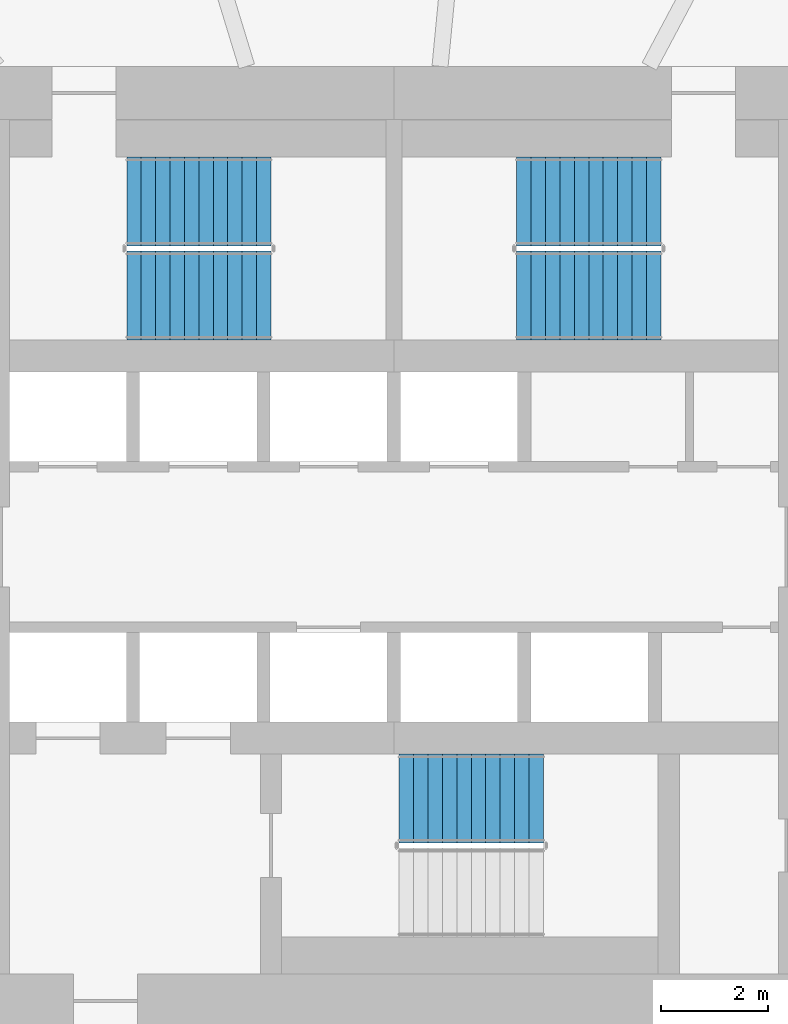
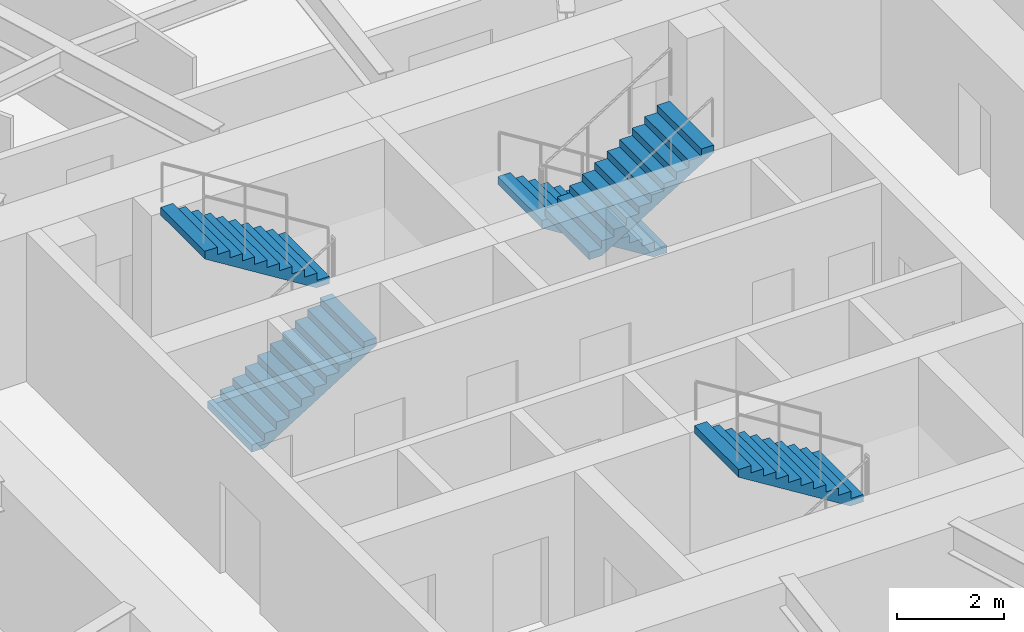
# One storey, part 11 of 17: 5 stair flights, 3 elements without a shape of their own.
"""IFC4 building model written with IfcOpenShell, lengths in metres."""

import ifcopenshell
import ifcopenshell.guid

model = None  # the IFC model being written
_history = None  # IfcOwnerHistory: only IFC2X3 demands one
_inside = {}  # id of a spatial element -> (the spatial element, [elements in it])
_under = {}  # id of a project, library or spatial element -> (it, [spatial elements below it])
_declared = {}  # id of a project -> (the project, [libraries it declares])
_typed = {}  # id of a type object -> (the type object, [elements of that type])
_made_of = {}  # id of a material, layer set ... -> (it, [elements and type objects made of it])


def new_model(schema):
    """Start an empty IFC model of exactly this schema.

    Asked for "IFC4X3", IfcOpenShell would pick the latest addendum, in which some entities
    have other attributes; the version numbers below select the first issue.
    IFC2X3 requires an IfcOwnerHistory on every rooted entity: one is made here for all.
    """
    global model, _history
    if schema == "IFC4X3":
        model = ifcopenshell.file(schema_version=(4, 3, 0, 0))
    else:
        model = ifcopenshell.file(schema=schema)
    _inside.clear()
    _under.clear()
    _declared.clear()
    _typed.clear()
    _made_of.clear()
    _history = None
    if model.schema == "IFC2X3":
        org = make("IfcOrganization", Name="unknown")
        user = make(
            "IfcPersonAndOrganization",
            ThePerson=make("IfcPerson", FamilyName="unknown"),
            TheOrganization=org,
        )
        app = make(
            "IfcApplication",
            ApplicationDeveloper=org,
            Version="unknown",
            ApplicationFullName="unknown",
            ApplicationIdentifier="unknown",
        )
        _history = make(
            "IfcOwnerHistory",
            OwningUser=user,
            OwningApplication=app,
            ChangeAction="ADDED",
            CreationDate=0,
        )
    return model


def make(cls, **values):
    """One entity of the class cls with the attributes given. An attribute that is None is left unset."""
    return model.create_entity(
        cls, **{name: value for name, value in values.items() if value is not None}
    )


def rooted(cls, **values):
    """An entity with a GlobalId (a new one), such as an element, a storey or a relation."""
    return make(cls, GlobalId=ifcopenshell.guid.new(), OwnerHistory=_history, **values)


def si_unit(unit_type, name, prefix=None):
    """IfcSIUnit, for example si_unit("LENGTHUNIT", "METRE", prefix="MILLI")."""
    return make("IfcSIUnit", UnitType=unit_type, Prefix=prefix, Name=name)


def assignment(units):
    """IfcUnitAssignment: the units of a project."""
    return None if units is None else make("IfcUnitAssignment", Units=units)


def point(xyz):
    """IfcCartesianPoint."""
    return None if xyz is None else make("IfcCartesianPoint", Coordinates=xyz)


def direction(xyz):
    """IfcDirection."""
    return None if xyz is None else make("IfcDirection", DirectionRatios=xyz)


def frame(location, z_axis=None, x_axis=None):
    """IfcAxis2Placement3D, a coordinate frame: its origin and axes. An axis left out is left unset."""
    return make(
        "IfcAxis2Placement3D",
        Location=point(location),
        Axis=direction(z_axis),
        RefDirection=direction(x_axis),
    )


def origin():
    """The frame at (0, 0, 0) with its axes left unset."""
    return frame((0.0, 0.0, 0.0))


def place(relative_to, where):
    """IfcLocalPlacement: puts the frame where relative to a parent placement (None: the world)."""
    return make(
        "IfcLocalPlacement", PlacementRelTo=relative_to, RelativePlacement=where
    )


def context(
    kind, dimensions, precision=None, world=None, true_north=None, identifier=None
):
    """IfcGeometricRepresentationContext, for example the 3D "Model" context."""
    return make(
        "IfcGeometricRepresentationContext",
        ContextIdentifier=identifier,
        ContextType=kind,
        CoordinateSpaceDimension=dimensions,
        Precision=precision,
        WorldCoordinateSystem=world,
        TrueNorth=true_north,
    )


def subcontext(parent, identifier, kind, view, scale=None):
    """IfcGeometricRepresentationSubContext, for example "Body" below "Model"."""
    return make(
        "IfcGeometricRepresentationSubContext",
        ContextIdentifier=identifier,
        ContextType=kind,
        ParentContext=parent,
        TargetScale=scale,
        TargetView=view,
    )


def project(units=None, contexts=None):
    """IfcProject with its units and contexts."""
    return rooted(
        "IfcProject",
        Name="project",
        RepresentationContexts=contexts,
        UnitsInContext=assignment(units),
    )


def spatial(cls, under=None, at=None, **own):
    """A site, building, storey or space (cls), placed at a placement, below another one or the project."""
    s = rooted(cls, ObjectPlacement=at, **own)
    if under is not None:
        _under.setdefault(under.id(), (under, []))[1].append(s)
    return s


def polyline(points):
    """IfcPolyline through the points."""
    return make("IfcPolyline", Points=[point(p) for p in points])


def outline(outer, holes=None, kind="AREA"):
    """IfcArbitraryClosedProfileDef: a profile drawn as a closed curve; with holes, ...WithVoids."""
    if holes is None:
        return make("IfcArbitraryClosedProfileDef", ProfileType=kind, OuterCurve=outer)
    return make(
        "IfcArbitraryProfileDefWithVoids",
        ProfileType=kind,
        OuterCurve=outer,
        InnerCurves=holes,
    )


def extrude(swept, where, along, depth):
    """IfcExtrudedAreaSolid: the profile swept, set in the frame where, extruded along a direction by depth."""
    return make(
        "IfcExtrudedAreaSolid",
        SweptArea=swept,
        Position=where,
        ExtrudedDirection=direction(along),
        Depth=depth,
    )


def shape(context_of_items, identifier, shape_type, items):
    """IfcShapeRepresentation: the items that make up one representation, for example the "Body"."""
    return make(
        "IfcShapeRepresentation",
        ContextOfItems=context_of_items,
        RepresentationIdentifier=identifier,
        RepresentationType=shape_type,
        Items=items,
    )


def material(Name=None, Category=None):
    """IfcMaterial."""
    return make("IfcMaterial", Name=Name, Category=Category)


def made_of(thing, what):
    """Note that an element or type object is made of a material, layer set ...; save() writes the relation."""
    if what is not None:
        _made_of.setdefault(what.id(), (what, []))[1].append(thing)
    return thing


def type_object(cls, material=None, **own):
    """A type object (cls), such as IfcWallType, which elements share."""
    return made_of(rooted(cls, **own), material)


def element(
    cls,
    number,
    at=None,
    inside=None,
    cuts=None,
    type_object=None,
    material=None,
    context=None,
    identifier="Body",
    shape_type=None,
    held_by="IfcProductDefinitionShape",
    body=None,
    shapes=None,
    **own,
):
    """One element of the class cls, such as IfcWall. Its Tag is "e" and its number.

    at: its placement. inside: the storey or other place that contains it. cuts: it is an
    opening in that element (IfcRelVoidsElement). A single representation is given by context,
    identifier, shape_type and body (its items); several are given by shapes. held_by: the class
    of the entity that holds the representations. save() writes the other relations.
    """
    e = rooted(cls, Tag="e%d" % number, ObjectPlacement=at, **own)
    if body is not None:
        shapes = [shape(context, identifier, shape_type, body)]
    if shapes is not None:
        e.Representation = make(held_by, Representations=shapes)
    if inside is not None:
        _inside.setdefault(inside.id(), (inside, []))[1].append(e)
    if cuts is not None:
        rooted(
            "IfcRelVoidsElement", RelatingBuildingElement=cuts, RelatedOpeningElement=e
        )
    if type_object is not None:
        _typed.setdefault(type_object.id(), (type_object, []))[1].append(e)
    return made_of(e, material)


def aggregate(whole, parts):
    """IfcRelAggregates: a whole, such as a stair, and the parts it consists of."""
    return rooted("IfcRelAggregates", RelatingObject=whole, RelatedObjects=parts)


def save(model, path):
    """Write the relations noted so far, then the file.

    IfcRelAggregates (storeys below a building ...), IfcRelContainedInSpatialStructure (elements
    in a storey), IfcRelDefinesByType, IfcRelAssociatesMaterial and IfcRelDeclares: one each for
    every whole, place, type object, material and project.
    """
    for whole, parts in _under.values():
        aggregate(whole, parts)
    for where, things in _inside.values():
        rooted(
            "IfcRelContainedInSpatialStructure",
            RelatedElements=things,
            RelatingStructure=where,
        )
    for kind, things in _typed.values():
        rooted("IfcRelDefinesByType", RelatedObjects=things, RelatingType=kind)
    for what, things in _made_of.values():
        rooted("IfcRelAssociatesMaterial", RelatedObjects=things, RelatingMaterial=what)
    for by, libraries in _declared.values():
        rooted("IfcRelDeclares", RelatingContext=by, RelatedDefinitions=libraries)
    model.write(path)


model = new_model("IFC4")

# Units and contexts
model_context = context("Model", 3, precision=1e-05, world=origin(), true_north=direction((0.0, 1.0)))
body_context = subcontext(model_context, "Body", "Model", "MODEL_VIEW")
ifc_project = project(units=[si_unit("LENGTHUNIT", "METRE"), si_unit("AREAUNIT", "SQUARE_METRE"), si_unit("VOLUMEUNIT", "CUBIC_METRE"), si_unit("PLANEANGLEUNIT", "RADIAN"), si_unit("MASSUNIT", "GRAM", prefix="KILO")], contexts=[model_context])

# Site, building, storey
site_placement = place(None, origin())
site = spatial("IfcSite", under=ifc_project, at=site_placement, CompositionType="ELEMENT")
building_placement = place(site_placement, origin())
building = spatial("IfcBuilding", under=site, at=building_placement, Name="Vermilion Reach Broadcast Tower", CompositionType="ELEMENT")
storey_placement = place(building_placement, frame((0.0, 0.0, 39.699951171875)))
storey = spatial("IfcBuildingStorey", under=building, at=storey_placement, Name="L06", CompositionType="ELEMENT", Elevation=39.699951171875)

# Stair, stair flights
ifc_material_1 = material(Name="Concrete C40", Category="concrete")
stair_type = type_object("IfcStairType", Name="Exit stair RC 22 risers 168 mm", PredefinedType="HALF_TURN_STAIR", material=ifc_material_1)
placement = place(storey_placement, origin())
stair_1 = element("IfcStair", 1, at=placement, inside=storey, type_object=stair_type, Name="L06 Exit stair ST1", PredefinedType="HALF_TURN_STAIR")
ifc_material_2 = material(Name="Concrete C40", Category="concrete")
stair_flight_type = type_object("IfcStairFlightType", Name="Exit stair flight RC 11 risers", PredefinedType="STRAIGHT", material=ifc_material_2)
stair_flight_1_placement = place(storey_placement, frame((-11.0, 4.7099609375, 0.0), z_axis=(0.0, 0.0, 1.0), x_axis=(1.0, 0.0, 0.0)))
stair_flight_1 = element("IfcStairFlight", 2, at=stair_flight_1_placement, type_object=stair_flight_type, Name="ST1 flight 1", NumberOfRisers=11, NumberOfTreads=10, PredefinedType="STRAIGHT", RiserHeight=0.168181818, TreadLength=0.27, context=body_context, shape_type="SweptSolid", body=[
    extrude(outline(polyline([(0.0, 0.0), (0.0, 0.168212890625), (0.27001953125, 0.168212890625), (0.27001953125, 0.33642578125), (0.5400390625, 0.33642578125), (0.5400390625, 0.504638671875), (0.81005859375, 0.504638671875), (0.81005859375, 0.672607421875), (1.080078125, 0.672607421875), (1.080078125, 0.8408203125), (1.35009765625, 0.8408203125), (1.35009765625, 1.009033203125), (1.6201171875, 1.009033203125), (1.6201171875, 1.17724609375), (1.889892578125, 1.17724609375), (1.889892578125, 1.345458984375), (2.159912109375, 1.345458984375), (2.159912109375, 1.513671875), (2.429931640625, 1.513671875), (2.429931640625, 1.681884765625), (2.699951171875, 1.681884765625), (2.699951171875, 1.85009765625), (2.699951171875, 1.505126953125), (0.283447265625, 0.0), (0.0, 0.0)])), frame((0.0, 0.830078125, 0.0), z_axis=(0.0, -1.0, 0.0), x_axis=(1.0, 0.0, 0.0)), (0.0, 0.0, 1.0), 1.659912109375),
])
stair_flight_2_placement = place(storey_placement, frame((-8.300048828125, 6.469970703125, 1.85009765625), z_axis=(0.0, 0.0, 1.0), x_axis=(-1.0, 0.0, 0.0)))
stair_flight_2 = element("IfcStairFlight", 3, at=stair_flight_2_placement, type_object=stair_flight_type, Name="ST1 flight 2", NumberOfRisers=11, NumberOfTreads=10, PredefinedType="STRAIGHT", RiserHeight=0.168181818, TreadLength=0.27, context=body_context, shape_type="SweptSolid", body=[
    extrude(outline(polyline([(0.0, 0.0), (0.0, 0.168212890625), (0.27001953125, 0.168212890625), (0.27001953125, 0.33642578125), (0.5400390625, 0.33642578125), (0.5400390625, 0.504638671875), (0.81005859375, 0.504638671875), (0.81005859375, 0.672607421875), (1.080078125, 0.672607421875), (1.080078125, 0.8408203125), (1.35009765625, 0.8408203125), (1.35009765625, 1.009033203125), (1.6201171875, 1.009033203125), (1.6201171875, 1.17724609375), (1.889892578125, 1.17724609375), (1.889892578125, 1.345458984375), (2.159912109375, 1.345458984375), (2.159912109375, 1.513671875), (2.429931640625, 1.513671875), (2.429931640625, 1.681884765625), (2.699951171875, 1.681884765625), (2.699951171875, 1.85009765625), (2.699951171875, 1.505126953125), (0.283447265625, 0.0), (0.0, 0.0)])), frame((0.0, 0.830078125, 0.0), z_axis=(0.0, -1.0, 0.0), x_axis=(1.0, 0.0, 0.0)), (0.0, 0.0, 1.0), 1.659912109375),
])
aggregate(stair_1, [stair_flight_1, stair_flight_2])

stair_2 = element("IfcStair", 4, at=placement, inside=storey, type_object=stair_type, Name="L06 Exit stair ST2", PredefinedType="HALF_TURN_STAIR")
stair_flight_3_placement = place(storey_placement, frame((-1.0, 6.469970703125, 0.0), z_axis=(0.0, 0.0, 1.0), x_axis=(-1.0, 0.0, 0.0)))
stair_flight_3 = element("IfcStairFlight", 5, at=stair_flight_3_placement, type_object=stair_flight_type, Name="ST2 flight 1", NumberOfRisers=11, NumberOfTreads=10, PredefinedType="STRAIGHT", RiserHeight=0.168181818, TreadLength=0.27, context=body_context, shape_type="SweptSolid", body=[
    extrude(outline(polyline([(0.0, 0.0), (0.0, 0.168212890625), (0.27001953125, 0.168212890625), (0.27001953125, 0.33642578125), (0.5400390625, 0.33642578125), (0.5400390625, 0.504638671875), (0.81005859375, 0.504638671875), (0.81005859375, 0.672607421875), (1.080078125, 0.672607421875), (1.080078125, 0.8408203125), (1.35009765625, 0.8408203125), (1.35009765625, 1.009033203125), (1.6201171875, 1.009033203125), (1.6201171875, 1.17724609375), (1.889892578125, 1.17724609375), (1.889892578125, 1.345458984375), (2.159912109375, 1.345458984375), (2.159912109375, 1.513671875), (2.429931640625, 1.513671875), (2.429931640625, 1.681884765625), (2.699951171875, 1.681884765625), (2.699951171875, 1.85009765625), (2.699951171875, 1.505126953125), (0.283447265625, 0.0), (0.0, 0.0)])), frame((0.0, 0.830078125, 0.0), z_axis=(0.0, -1.0, 0.0), x_axis=(1.0, 0.0, 0.0)), (0.0, 0.0, 1.0), 1.659912109375),
])
stair_flight_4_placement = place(storey_placement, frame((-3.699951171875, 4.7099609375, 1.85009765625), z_axis=(0.0, 0.0, 1.0), x_axis=(1.0, 0.0, 0.0)))
stair_flight_4 = element("IfcStairFlight", 6, at=stair_flight_4_placement, type_object=stair_flight_type, Name="ST2 flight 2", NumberOfRisers=11, NumberOfTreads=10, PredefinedType="STRAIGHT", RiserHeight=0.168181818, TreadLength=0.27, context=body_context, shape_type="SweptSolid", body=[
    extrude(outline(polyline([(0.0, 0.0), (0.0, 0.168212890625), (0.27001953125, 0.168212890625), (0.27001953125, 0.33642578125), (0.5400390625, 0.33642578125), (0.5400390625, 0.504638671875), (0.81005859375, 0.504638671875), (0.81005859375, 0.672607421875), (1.080078125, 0.672607421875), (1.080078125, 0.8408203125), (1.35009765625, 0.8408203125), (1.35009765625, 1.009033203125), (1.6201171875, 1.009033203125), (1.6201171875, 1.17724609375), (1.889892578125, 1.17724609375), (1.889892578125, 1.345458984375), (2.159912109375, 1.345458984375), (2.159912109375, 1.513671875), (2.429931640625, 1.513671875), (2.429931640625, 1.681884765625), (2.699951171875, 1.681884765625), (2.699951171875, 1.85009765625), (2.699951171875, 1.505126953125), (0.283447265625, 0.0), (0.0, 0.0)])), frame((0.0, 0.830078125, 0.0), z_axis=(0.0, -1.0, 0.0), x_axis=(1.0, 0.0, 0.0)), (0.0, 0.0, 1.0), 1.659912109375),
])
aggregate(stair_2, [stair_flight_3, stair_flight_4])

# Stair, stair flight
stair_3 = element("IfcStair", 7, at=placement, inside=storey, type_object=stair_type, Name="L06 Exit stair ST3", PredefinedType="HALF_TURN_STAIR")
stair_flight_5_placement = place(storey_placement, frame((-3.199951171875, -4.7099609375, 1.85009765625), z_axis=(0.0, 0.0, 1.0), x_axis=(-1.0, 0.0, 0.0)))
stair_flight_5 = element("IfcStairFlight", 8, at=stair_flight_5_placement, type_object=stair_flight_type, Name="ST3 flight 2", NumberOfRisers=11, NumberOfTreads=10, PredefinedType="STRAIGHT", RiserHeight=0.168181818, TreadLength=0.27, context=body_context, shape_type="SweptSolid", body=[
    extrude(outline(polyline([(0.0, 0.0), (0.0, 0.168212890625), (0.27001953125, 0.168212890625), (0.27001953125, 0.33642578125), (0.5400390625, 0.33642578125), (0.5400390625, 0.504638671875), (0.81005859375, 0.504638671875), (0.81005859375, 0.672607421875), (1.080078125, 0.672607421875), (1.080078125, 0.8408203125), (1.35009765625, 0.8408203125), (1.35009765625, 1.009033203125), (1.6201171875, 1.009033203125), (1.6201171875, 1.17724609375), (1.889892578125, 1.17724609375), (1.889892578125, 1.345458984375), (2.159912109375, 1.345458984375), (2.159912109375, 1.513671875), (2.429931640625, 1.513671875), (2.429931640625, 1.681884765625), (2.699951171875, 1.681884765625), (2.699951171875, 1.85009765625), (2.699951171875, 1.505126953125), (0.283447265625, 0.0), (0.0, 0.0)])), frame((0.0, 0.830078125, 0.0), z_axis=(0.0, -1.0, 0.0), x_axis=(1.0, 0.0, 0.0)), (0.0, 0.0, 1.0), 1.659912109375),
])
aggregate(stair_3, [stair_flight_5])

save(model, "model.ifc")
